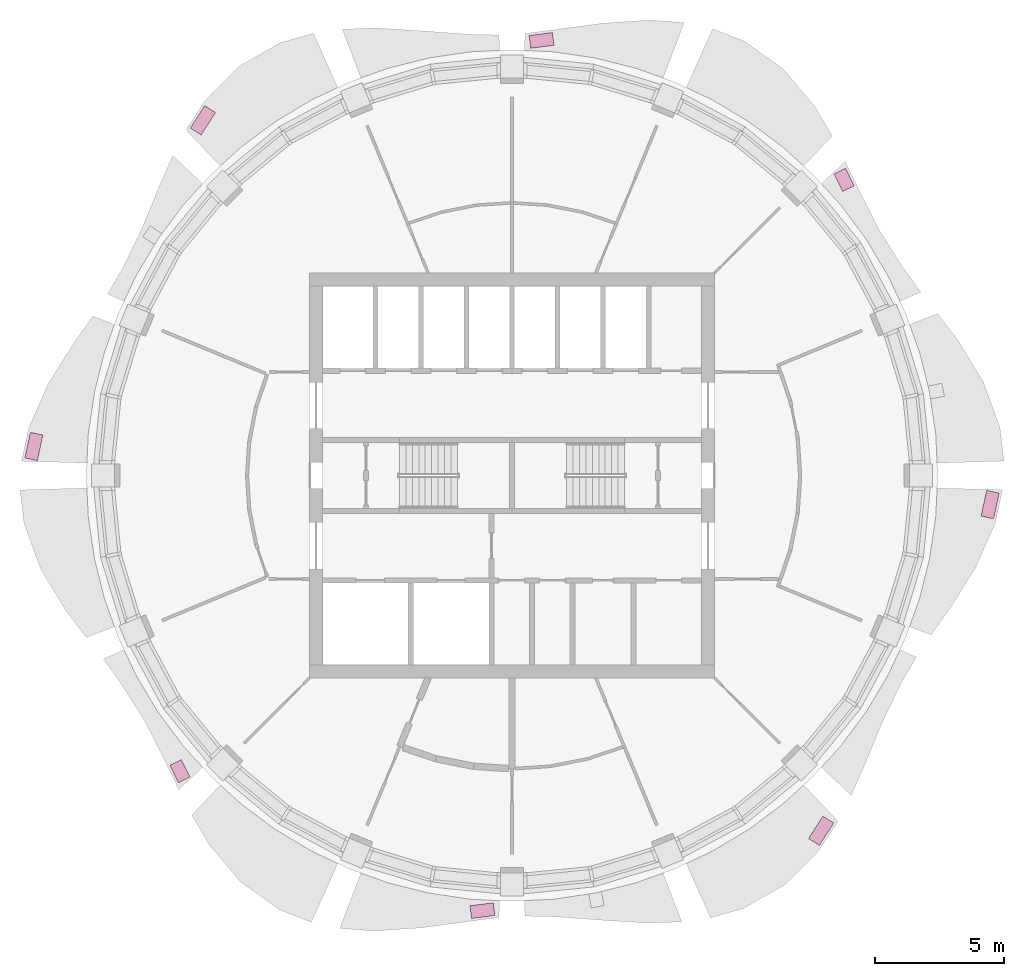
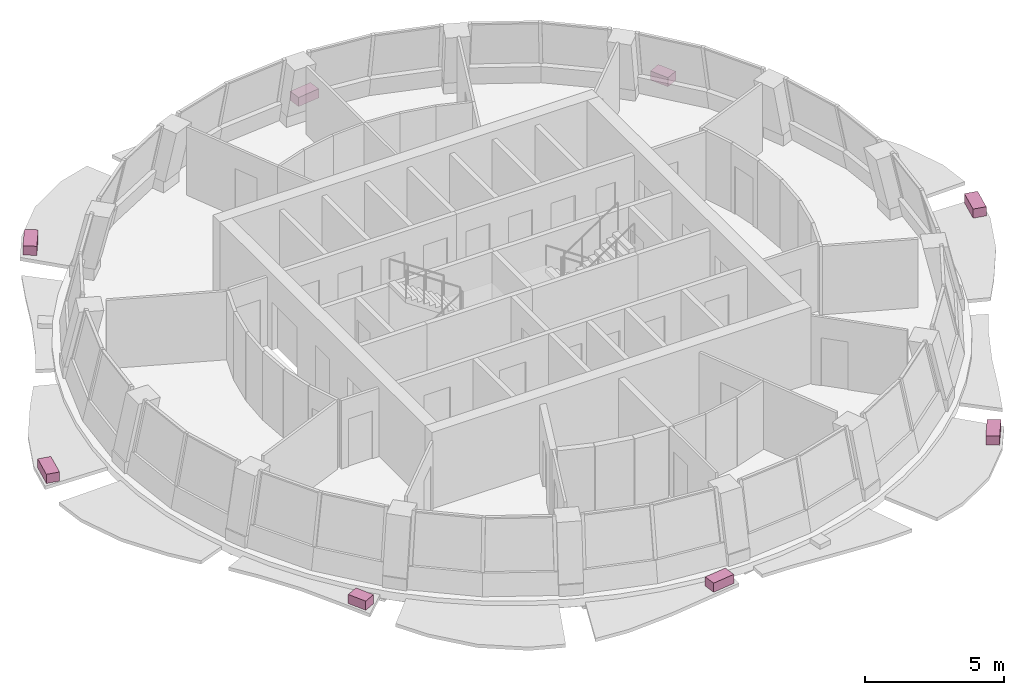
# One storey, part 11 of 11: 8 furniture elements.
"""IFC4 building model written with IfcOpenShell, lengths in metres."""

from ifc_helpers import new_model, si_unit, direction, frame, origin, origin_2d, place, context, subcontext, project, spatial, rectangle, extrude, material, type_object, element, save


model = new_model("IFC4")

# Units and contexts
model_context = context("Model", 3, precision=1e-05, world=origin(), true_north=direction((0.0, 1.0)))
body_context = subcontext(model_context, "Body", "Model", "MODEL_VIEW")
ifc_project = project(units=[si_unit("LENGTHUNIT", "METRE"), si_unit("AREAUNIT", "SQUARE_METRE"), si_unit("VOLUMEUNIT", "CUBIC_METRE"), si_unit("PLANEANGLEUNIT", "RADIAN"), si_unit("MASSUNIT", "GRAM", prefix="KILO")], contexts=[model_context])

# Site, building, storey
site_placement = place(None, origin())
site = spatial("IfcSite", under=ifc_project, at=site_placement, CompositionType="ELEMENT")
building_placement = place(site_placement, origin())
building = spatial("IfcBuilding", under=site, at=building_placement, Name="Polderwave Tower", CompositionType="ELEMENT")
storey_placement = place(building_placement, frame((0.0, 0.0, 214.449951171875)))
storey = spatial("IfcBuildingStorey", under=building, at=storey_placement, Name="L58", CompositionType="ELEMENT", Elevation=214.449951171875)

# Furniture
ifc_material = material(Name="Terracotta", Category="masonry")
furniture_type = type_object("IfcFurnitureType", Name="Terracotta planting trough", AssemblyPlace="NOTDEFINED", PredefinedType="USERDEFINED", material=ifc_material)
furniture_1_placement = place(storey_placement, frame((12.909912109375, 11.492431640625, -0.199951171875), z_axis=(0.0, 0.0, 1.0), x_axis=(-0.438302123069, 0.898827708136, 0.0)))
element("IfcFurniture", 1, at=furniture_1_placement, inside=storey, type_object=furniture_type, Name="Planting trough L58 2", ObjectType="PLANTER", PredefinedType="USERDEFINED", context=body_context, shape_type="SweptSolid", body=[
    extrude(rectangle(XDim=0.760009765625, YDim=0.5, at=origin_2d()), origin(), (0.0, 0.0, 1.0), 0.39990234375),
])
furniture_2_placement = place(storey_placement, frame((1.149658203125, 16.913330078125, -0.199951171875), z_axis=(0.0, 0.0, 1.0), x_axis=(-0.991927010072, -0.126810120611, 0.0)))
element("IfcFurniture", 2, at=furniture_2_placement, inside=storey, type_object=furniture_type, Name="Planting trough L58 4", ObjectType="PLANTER", PredefinedType="USERDEFINED", context=body_context, shape_type="SweptSolid", body=[
    extrude(rectangle(XDim=0.91455078125, YDim=0.5, at=origin_2d()), origin(), (0.0, 0.0, 1.0), 0.39990234375),
])
furniture_3_placement = place(storey_placement, frame((-12.015380859375, 13.808349609375, -0.199951171875), z_axis=(0.0, 0.0, 1.0), x_axis=(-0.540470888194, -0.841362715489, 0.0)))
element("IfcFurniture", 3, at=furniture_3_placement, inside=storey, type_object=furniture_type, Name="Planting trough L58 6", ObjectType="PLANTER", PredefinedType="USERDEFINED", context=body_context, shape_type="SweptSolid", body=[
    extrude(rectangle(XDim=1.03662109375, YDim=0.5, at=origin_2d()), origin(), (0.0, 0.0, 1.0), 0.39990234375),
])
furniture_4_placement = place(storey_placement, frame((-18.58544921875, 1.130126953125, -0.199951171875), z_axis=(0.0, 0.0, 1.0), x_axis=(-0.211679612333, -0.977339112961, 0.0)))
element("IfcFurniture", 4, at=furniture_4_placement, inside=storey, type_object=furniture_type, Name="Planting trough L58 8", ObjectType="PLANTER", PredefinedType="USERDEFINED", context=body_context, shape_type="SweptSolid", body=[
    extrude(rectangle(XDim=1.0224609375, YDim=0.5, at=origin_2d()), origin(), (0.0, 0.0, 1.0), 0.39990234375),
])
furniture_5_placement = place(storey_placement, frame((-12.909912109375, -11.492431640625, -0.199951171875), z_axis=(0.0, 0.0, 1.0), x_axis=(0.438302123069, -0.898827708136, 0.0)))
element("IfcFurniture", 5, at=furniture_5_placement, inside=storey, type_object=furniture_type, Name="Planting trough L58 10", ObjectType="PLANTER", PredefinedType="USERDEFINED", context=body_context, shape_type="SweptSolid", body=[
    extrude(rectangle(XDim=0.760009765625, YDim=0.5, at=origin_2d()), origin(), (0.0, 0.0, 1.0), 0.39990234375),
])
furniture_6_placement = place(storey_placement, frame((-1.149658203125, -16.913330078125, -0.199951171875), z_axis=(0.0, 0.0, 1.0), x_axis=(0.991927010072, 0.126810120611, 0.0)))
element("IfcFurniture", 6, at=furniture_6_placement, inside=storey, type_object=furniture_type, Name="Planting trough L58 12", ObjectType="PLANTER", PredefinedType="USERDEFINED", context=body_context, shape_type="SweptSolid", body=[
    extrude(rectangle(XDim=0.91455078125, YDim=0.5, at=origin_2d()), origin(), (0.0, 0.0, 1.0), 0.39990234375),
])
furniture_7_placement = place(storey_placement, frame((12.015380859375, -13.808349609375, -0.199951171875), z_axis=(0.0, 0.0, 1.0), x_axis=(0.540470888194, 0.841362715489, 0.0)))
element("IfcFurniture", 7, at=furniture_7_placement, inside=storey, type_object=furniture_type, Name="Planting trough L58 14", ObjectType="PLANTER", PredefinedType="USERDEFINED", context=body_context, shape_type="SweptSolid", body=[
    extrude(rectangle(XDim=1.03662109375, YDim=0.5, at=origin_2d()), origin(), (0.0, 0.0, 1.0), 0.39990234375),
])
furniture_8_placement = place(storey_placement, frame((18.58544921875, -1.130126953125, -0.199951171875), z_axis=(0.0, 0.0, 1.0), x_axis=(0.211679612333, 0.977339112961, 0.0)))
element("IfcFurniture", 8, at=furniture_8_placement, inside=storey, type_object=furniture_type, Name="Planting trough L58 16", ObjectType="PLANTER", PredefinedType="USERDEFINED", context=body_context, shape_type="SweptSolid", body=[
    extrude(rectangle(XDim=1.0224609375, YDim=0.5, at=origin_2d()), origin(), (0.0, 0.0, 1.0), 0.39990234375),
])

save(model, "model.ifc")
